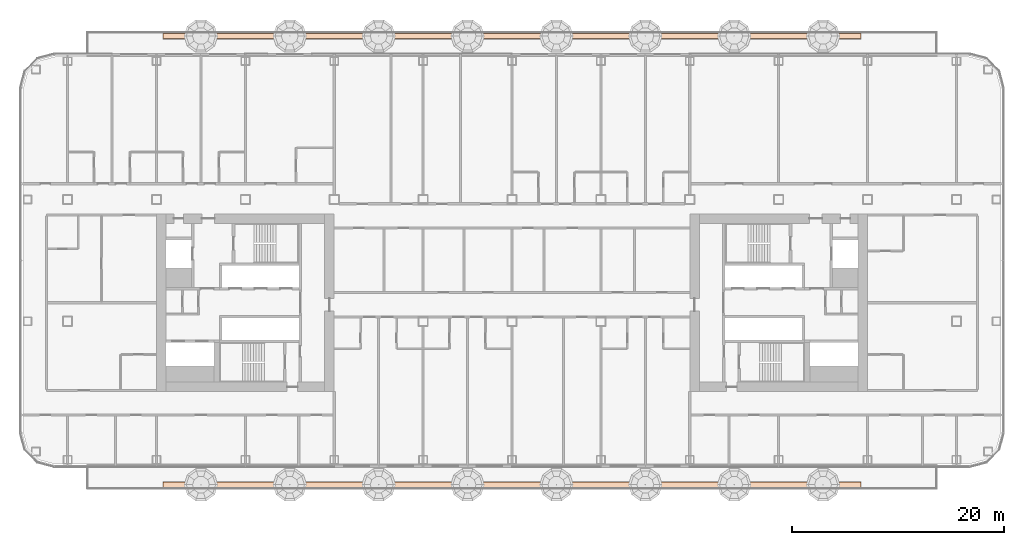
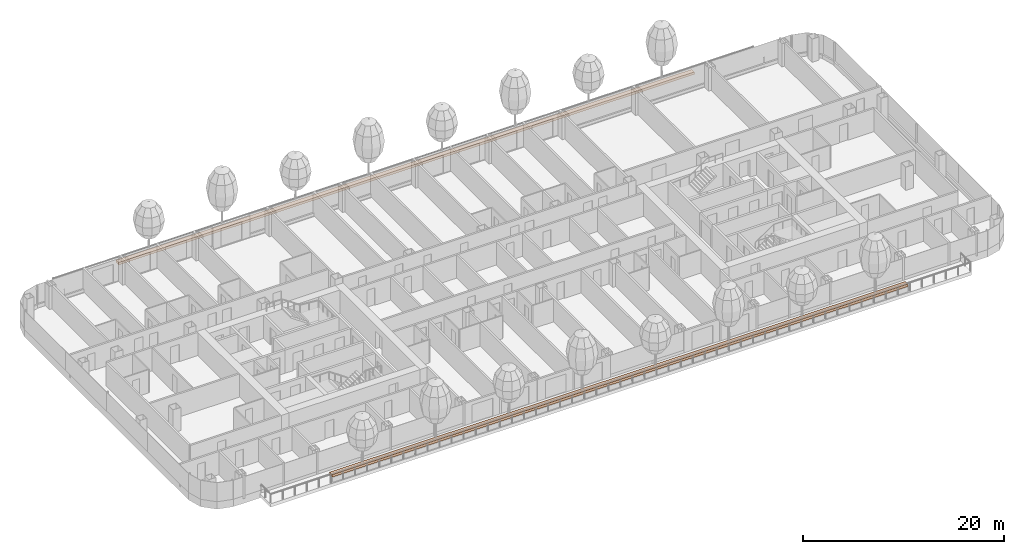
# One storey, part 31 of 34: 2 geographic elements.
"""IFC4 building model written with IfcOpenShell, lengths in metres."""

from ifc_helpers import new_model, si_unit, direction, frame, origin, origin_2d, place, context, subcontext, project, spatial, rectangle, extrude, material, type_object, element, save


model = new_model("IFC4")

# Units and contexts
model_context = context("Model", 3, precision=1e-05, world=origin(), true_north=direction((0.0, 1.0)))
body_context = subcontext(model_context, "Body", "Model", "MODEL_VIEW")
ifc_project = project(units=[si_unit("LENGTHUNIT", "METRE"), si_unit("AREAUNIT", "SQUARE_METRE"), si_unit("VOLUMEUNIT", "CUBIC_METRE"), si_unit("PLANEANGLEUNIT", "RADIAN"), si_unit("MASSUNIT", "GRAM", prefix="KILO")], contexts=[model_context])

# Site, building, storey
site_placement = place(None, origin())
site = spatial("IfcSite", under=ifc_project, at=site_placement, CompositionType="ELEMENT")
building_placement = place(site_placement, origin())
building = spatial("IfcBuilding", under=site, at=building_placement, Name="Hakoniwa Tower and Hamabe Station Hall", CompositionType="ELEMENT")
storey_placement = place(building_placement, frame((0.0, 0.0, 94.60009765625)))
storey = spatial("IfcBuildingStorey", under=building, at=storey_placement, Name="L26", CompositionType="ELEMENT", Elevation=94.60009765625)

# Geographic elements
ifc_material = material(Name="Shrub planting")
geographic_element_type = type_object("IfcGeographicElementType", Name="Shrub planting bed 500x300", PredefinedType="USERDEFINED", material=ifc_material)
for number, where, z_axis, x_axis, name in (
    (1, (0.0, 25.199951171875, 0.60009765625), (0.0, 0.0, 1.0), (1.0, 0.0, 0.0), "Shrub planting bed 500x300"),
    (2, (0.0, -17.199951171875, 0.60009765625), (0.0, 0.0, 1.0), (1.0, 0.0, 0.0), "Shrub planting bed 500x300"),
):
    element("IfcGeographicElement", number, at=place(storey_placement, frame(where, z_axis=z_axis, x_axis=x_axis)), inside=storey, type_object=geographic_element_type, Name=name, ObjectType="PLANTING", PredefinedType="USERDEFINED", context=body_context, shape_type="SweptSolid", body=[
        extrude(rectangle(XDim=66.0, YDim=0.5, at=origin_2d()), origin(), (0.0, 0.0, 1.0), 0.300048828125),
    ])

save(model, "model.ifc")
